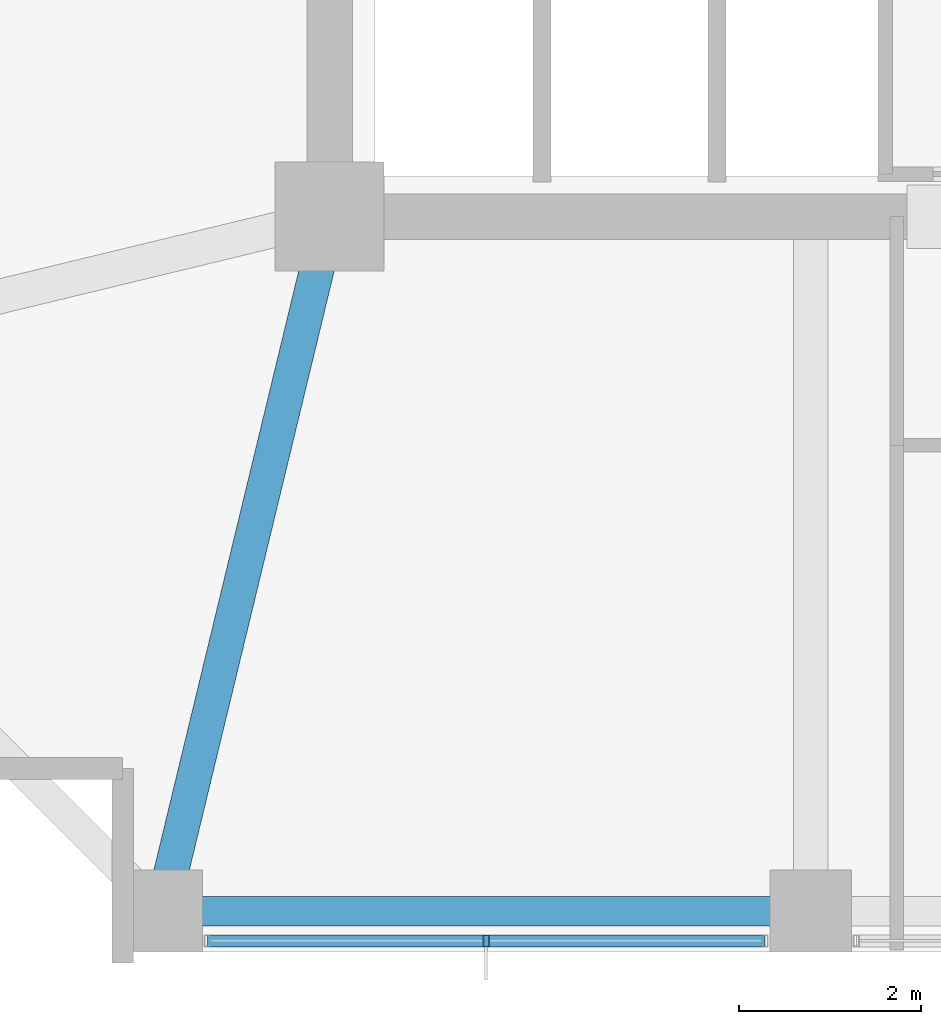
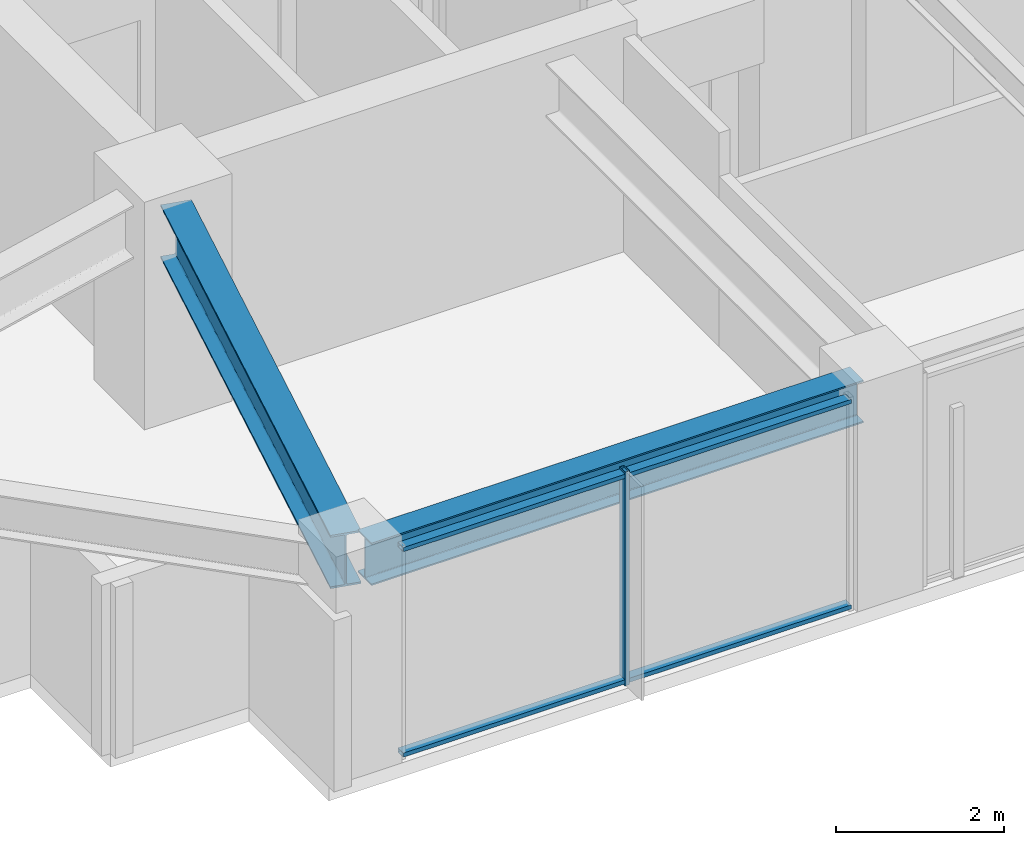
# One storey, part 3 of 32: 3 members, 2 beams, 1 element without a shape of its own.
"""IFC4 building model written with IfcOpenShell, lengths in metres."""

from ifc_helpers import new_model, si_unit, direction, frame, origin, origin_2d, place, context, subcontext, project, spatial, hollow_rectangle, i_section, extrude, material, material_profile, profile_set, type_object, element, aggregate, save


model = new_model("IFC4")

# Units and contexts
model_context = context("Model", 3, precision=1e-05, world=origin(), true_north=direction((0.0, 1.0)))
body_context = subcontext(model_context, "Body", "Model", "MODEL_VIEW")
ifc_project = project(units=[si_unit("LENGTHUNIT", "METRE"), si_unit("AREAUNIT", "SQUARE_METRE"), si_unit("VOLUMEUNIT", "CUBIC_METRE"), si_unit("PLANEANGLEUNIT", "RADIAN"), si_unit("MASSUNIT", "GRAM", prefix="KILO")], contexts=[model_context])

# Site, building, storey
site_placement = place(None, origin())
site = spatial("IfcSite", under=ifc_project, at=site_placement, CompositionType="ELEMENT")
building_placement = place(site_placement, origin())
building = spatial("IfcBuilding", under=site, at=building_placement, Name="Kolvaren Belvedere", CompositionType="ELEMENT")
storey_placement = place(building_placement, frame((0.0, 0.0, 141.5)))
storey = spatial("IfcBuildingStorey", under=building, at=storey_placement, Name="L41", CompositionType="ELEMENT", Elevation=141.5)

# Beams
ifc_material_1 = material(Name="Structural steel ASTM A992 Grade 50", Category="steel")
ifc_material_profile_1 = material_profile(ifc_material_1, i_section(OverallWidth=0.381103515625, OverallDepth=0.77294921875, WebThickness=0.0166015625, FlangeThickness=0.027099609375, FilletRadius=0.02392578125, at=origin_2d()), Name="W30X173")
ifc_profile_set_1 = profile_set([ifc_material_profile_1], Name="Structural steel ASTM A992 Grade 50")
beam_type_1 = type_object("IfcBeamType", Name="BM-GIRD-W30X173", PredefinedType="BEAM", material=ifc_profile_set_1)
beam_1_placement = place(storey_placement, frame((-10.029296875, -10.4345703125, 2.71337890625), z_axis=(-0.235062749937, -0.971980197119, 0.0), x_axis=(0.971980197119, -0.235062749937, 0.0)))
element("IfcBeam", 1, at=beam_1_placement, inside=storey, type_object=beam_type_1, Name="L41 Corner Core-to-Perimeter Girder CC1-S1", PredefinedType="BEAM", context=body_context, shape_type="SweptSolid", body=[
    extrude(i_section(OverallWidth=0.381103515625, OverallDepth=0.77294921875, WebThickness=0.0166015625, FlangeThickness=0.027099609375, FilletRadius=0.02392578125, at=origin_2d()), origin(), (0.0, 0.0, 1.0), 7.140625),
])
ifc_material_2 = material(Name="Structural steel ASTM A992 Grade 50", Category="steel")
ifc_material_profile_2 = material_profile(ifc_material_2, i_section(OverallWidth=0.324951171875, OverallDepth=0.615966796875, WebThickness=0.013916015625, FlangeThickness=0.021484375, FilletRadius=0.02001953125, at=origin_2d()), Name="W24X117")
ifc_profile_set_2 = profile_set([ifc_material_profile_2], Name="Structural steel ASTM A992 Grade 50")
beam_type_2 = type_object("IfcBeamType", Name="BM-SPAN-W24X117", PredefinedType="SPANDREL", material=ifc_profile_set_2)
beam_2_placement = place(storey_placement, frame((-11.547607421875, -17.550048828125, 2.7919921875), z_axis=(1.0, 0.0, 0.0), x_axis=(0.0, 1.0, 0.0)))
element("IfcBeam", 2, at=beam_2_placement, inside=storey, type_object=beam_type_2, Name="L41 Perimeter Spandrel S1-S2", PredefinedType="SPANDREL", context=body_context, shape_type="SweptSolid", body=[
    extrude(i_section(OverallWidth=0.324951171875, OverallDepth=0.615966796875, WebThickness=0.013916015625, FlangeThickness=0.021484375, FilletRadius=0.02001953125, at=origin_2d()), origin(), (0.0, 0.0, 1.0), 6.7451171875),
])

# Curtain wall, members
ifc_material_3 = material(Name="Anodised pale-metal aluminium AA 6063-T6", Category="aluminium")
curtain_wall_type = type_object("IfcCurtainWallType", Name="CW-Z3-WAIST", PredefinedType="NOTDEFINED", material=ifc_material_3)
curtain_wall_placement = place(storey_placement, origin())
curtain_wall = element("IfcCurtainWall", 3, at=curtain_wall_placement, inside=storey, type_object=curtain_wall_type, Name="L41 Unitised Curtain Wall FCW-L41-S-B3", PredefinedType="NOTDEFINED")
ifc_material_4 = material(Name="Anodised pale-metal aluminium AA 6063-T6", Category="aluminium")
ifc_material_profile_3 = material_profile(ifc_material_4, hollow_rectangle(XDim=0.06494140625, YDim=0.1298828125, WallThickness=0.00390625, at=origin_2d()), Name="ALU-MUL-130X65")
ifc_profile_set_3 = profile_set([ifc_material_profile_3], Name="Anodised pale-metal aluminium AA 6063-T6")
member_type_1 = type_object("IfcMemberType", Name="CW-MUL-130", PredefinedType="MULLION", material=ifc_profile_set_3)
member_1_placement = place(storey_placement, frame((-8.175048828125, -17.8798828125, 0.0), z_axis=(0.0, 0.0, 1.0), x_axis=(1.0, 0.0, 0.0)))
member_1 = element("IfcMember", 4, at=member_1_placement, type_object=member_type_1, Name="FCW-L41-S-B3 Unitised Mullion 2", PredefinedType="MULLION", context=body_context, shape_type="SweptSolid", body=[
    extrude(hollow_rectangle(XDim=0.06494140625, YDim=0.1298828125, WallThickness=0.00390625, at=origin_2d()), origin(), (0.0, 0.0, 1.0), 3.10009765625),
])
ifc_material_5 = material(Name="Anodised pale-metal aluminium AA 6063-T6", Category="aluminium")
ifc_material_profile_4 = material_profile(ifc_material_5, hollow_rectangle(XDim=0.06005859375, YDim=0.1298828125, WallThickness=0.00390625, at=origin_2d()), Name="ALU-TRN-130X60")
ifc_profile_set_4 = profile_set([ifc_material_profile_4], Name="Anodised pale-metal aluminium AA 6063-T6")
member_type_2 = type_object("IfcMemberType", Name="CW-TRN-130", PredefinedType="USERDEFINED", material=ifc_profile_set_4)
member_2_placement = place(storey_placement, frame((-5.1025390625, -17.8798828125, 0.06005859375), z_axis=(-1.0, 0.0, 0.0), x_axis=(0.0, 0.0, 1.0)))
member_2 = element("IfcMember", 5, at=member_2_placement, type_object=member_type_2, Name="FCW-L41-S-B3 Sill Transom", ObjectType="TRANSOM", PredefinedType="USERDEFINED", context=body_context, shape_type="SweptSolid", body=[
    extrude(hollow_rectangle(XDim=0.06005859375, YDim=0.1298828125, WallThickness=0.00390625, at=origin_2d()), origin(), (0.0, 0.0, 1.0), 6.14501953125),
])
member_3_placement = place(storey_placement, frame((-5.1025390625, -17.8798828125, 3.0400390625), z_axis=(-1.0, 0.0, 0.0), x_axis=(0.0, 0.0, 1.0)))
member_3 = element("IfcMember", 6, at=member_3_placement, type_object=member_type_2, Name="FCW-L41-S-B3 Head Transom", ObjectType="TRANSOM", PredefinedType="USERDEFINED", context=body_context, shape_type="SweptSolid", body=[
    extrude(hollow_rectangle(XDim=0.06005859375, YDim=0.1298828125, WallThickness=0.00390625, at=origin_2d()), origin(), (0.0, 0.0, 1.0), 6.14501953125),
])
aggregate(curtain_wall, [member_1, member_2, member_3])

save(model, "model.ifc")
